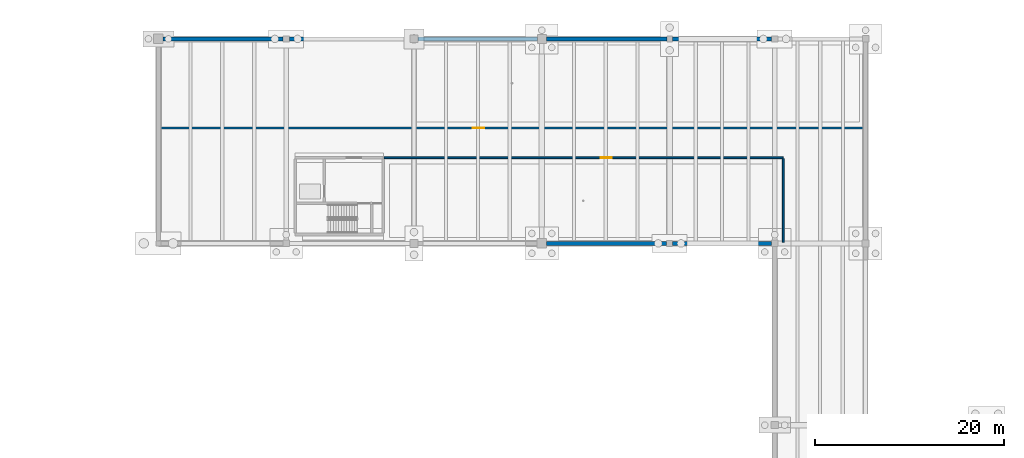
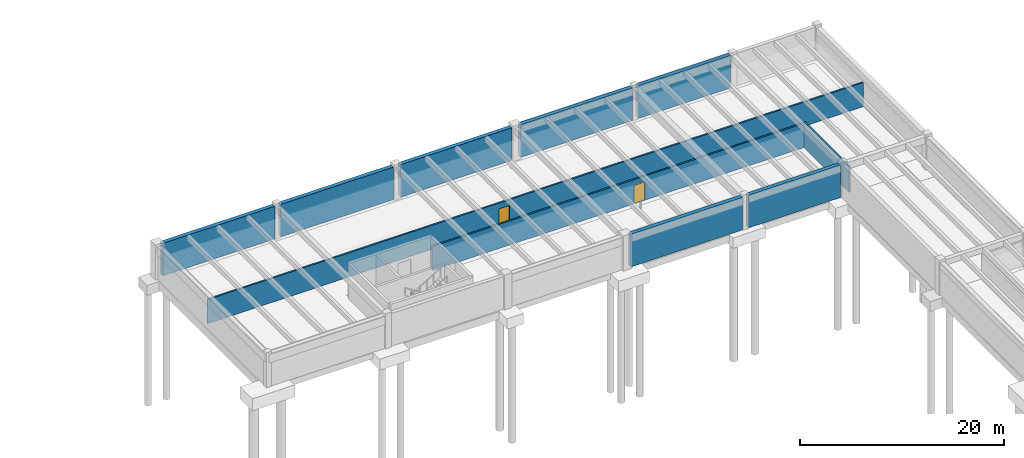
# One storey, part 20 of 41: 10 walls, 2 doors, 2 openings.
"""IFC4 building model written with IfcOpenShell, lengths in metres."""

from ifc_helpers import new_model, si_unit, direction, frame, frame_2d, origin, place, context, subcontext, project, spatial, rectangle, extrude, material, layer, layer_set, type_object, element, fill, save


model = new_model("IFC4")

# Units and contexts
model_context = context("Model", 3, precision=1e-05, world=origin(), true_north=direction((0.0, 1.0)))
body_context = subcontext(model_context, "Body", "Model", "MODEL_VIEW")
ifc_project = project(units=[si_unit("LENGTHUNIT", "METRE"), si_unit("AREAUNIT", "SQUARE_METRE"), si_unit("VOLUMEUNIT", "CUBIC_METRE"), si_unit("PLANEANGLEUNIT", "RADIAN"), si_unit("MASSUNIT", "GRAM", prefix="KILO")], contexts=[model_context])

# Site, building, storey
site_placement = place(None, origin())
site = spatial("IfcSite", under=ifc_project, at=site_placement, CompositionType="ELEMENT")
building_placement = place(site_placement, origin())
building = spatial("IfcBuilding", under=site, at=building_placement, Name="Fikremerkos Civic Library", CompositionType="ELEMENT")
storey_placement = place(building_placement, frame((0.0, 0.0, -8.39990234375)))
storey = spatial("IfcBuildingStorey", under=building, at=storey_placement, Name="B02", CompositionType="ELEMENT", Elevation=-8.39990234375)

# Walls
ifc_material_1 = material(Name="Concrete C40/50", Category="concrete")
ifc_layer_1 = layer(ifc_material_1, 0.449951171875, Name="Concrete C40/50")
ifc_layer_set_1 = layer_set([ifc_layer_1], Name="Concrete C40/50")
wall_type_1 = type_object("IfcWallType", Name="Basement retaining wall BRW-01 450", PredefinedType="USERDEFINED", material=ifc_layer_set_1)
wall_1_placement = place(storey_placement, frame((124.451904296875, 96.0, 0.0), z_axis=(0.0, 0.0, 1.0), x_axis=(-1.0, 0.0, 0.0)))
element("IfcWall", 1, at=wall_1_placement, inside=storey, type_object=wall_type_1, Name="Basement retaining wall BRW-01 B02 #48", ObjectType="RETAINING WALL", PredefinedType="USERDEFINED", context=body_context, shape_type="SweptSolid", body=[
    extrude(rectangle(XDim=10.428955078125, YDim=0.449951171875, at=frame_2d((5.21435546875, 0.0))), origin(), (0.0, 0.0, 1.0), 3.89990234375),
])
for number, where, z_axis, x_axis, name in (
    (2, (113.376953125, 96.0, 0.0), (0.0, 0.0, 1.0), (-1.0, 0.0, 0.0), "Basement retaining wall BRW-01 B02 #49"),
    (3, (60.197998046875, 117.60009765625, 0.0), (0.0, 0.0, 1.0), (1.0, 0.0, 0.0), "Basement retaining wall BRW-01 B02 #54"),
):
    element("IfcWall", number, at=place(storey_placement, frame(where, z_axis=z_axis, x_axis=x_axis)), inside=storey, type_object=wall_type_1, Name=name, ObjectType="RETAINING WALL", PredefinedType="USERDEFINED", context=body_context, shape_type="SweptSolid", body=[
        extrude(rectangle(XDim=12.678955078125, YDim=0.449951171875, at=frame_2d((6.33935546875, 0.0))), origin(), (0.0, 0.0, 1.0), 3.89990234375),
    ])
wall_2_placement = place(storey_placement, frame((73.52294921875, 117.60009765625, 0.0), z_axis=(0.0, 0.0, 1.0), x_axis=(1.0, 0.0, 0.0)))
element("IfcWall", 4, at=wall_2_placement, inside=storey, type_object=wall_type_1, Name="Basement retaining wall BRW-01 B02 #55", ObjectType="RETAINING WALL", PredefinedType="USERDEFINED", context=body_context, shape_type="SweptSolid", body=[
    extrude(rectangle(XDim=12.779052734375, YDim=0.449951171875, at=frame_2d((6.3896484375, 0.0))), origin(), (0.0, 0.0, 1.0), 3.89990234375),
])
wall_3_placement = place(storey_placement, frame((87.097900390625, 117.60009765625, 0.0), z_axis=(0.0, 0.0, 1.0), x_axis=(1.0, 0.0, 0.0)))
element("IfcWall", 5, at=wall_3_placement, inside=storey, type_object=wall_type_1, Name="Basement retaining wall BRW-01 B02 #56", ObjectType="RETAINING WALL", PredefinedType="USERDEFINED", context=body_context, shape_type="SweptSolid", body=[
    extrude(rectangle(XDim=12.629150390625, YDim=0.449951171875, at=frame_2d((6.314453125, 0.0))), origin(), (0.0, 0.0, 1.0), 3.89990234375),
])
wall_4_placement = place(storey_placement, frame((100.673095703125, 117.60009765625, 0.0), z_axis=(0.0, 0.0, 1.0), x_axis=(1.0, 0.0, 0.0)))
element("IfcWall", 6, at=wall_4_placement, inside=storey, type_object=wall_type_1, Name="Basement retaining wall BRW-01 B02 #57", ObjectType="RETAINING WALL", PredefinedType="USERDEFINED", context=body_context, shape_type="SweptSolid", body=[
    extrude(rectangle(XDim=12.72900390625, YDim=0.449951171875, at=frame_2d((6.364501953125, 0.0))), origin(), (0.0, 0.0, 1.0), 3.89990234375),
])
wall_5_placement = place(storey_placement, frame((113.998046875, 117.60009765625, 0.0), z_axis=(0.0, 0.0, 1.0), x_axis=(1.0, 0.0, 0.0)))
element("IfcWall", 7, at=wall_5_placement, inside=storey, type_object=wall_type_1, Name="Basement retaining wall BRW-01 B02 #58", ObjectType="RETAINING WALL", PredefinedType="USERDEFINED", context=body_context, shape_type="SweptSolid", body=[
    extrude(rectangle(XDim=10.47900390625, YDim=0.449951171875, at=frame_2d((5.239501953125, 0.0))), origin(), (0.0, 0.0, 1.0), 3.89990234375),
])

# Wall, opening, door
ifc_material_2 = material(Name="Acoustic concrete blockwork", Category="masonry")
ifc_layer_2 = layer(ifc_material_2, 0.18994140625, Name="Acoustic concrete blockwork")
ifc_layer_set_2 = layer_set([ifc_layer_2], Name="Acoustic concrete blockwork")
wall_type_2 = type_object("IfcWallType", Name="Interior partition wall IPW-01 190", PredefinedType="PARTITIONING", material=ifc_layer_set_2)
wall_6_placement = place(storey_placement, frame((59.927978515625, 108.199951171875, 0.0), z_axis=(0.0, 0.0, 1.0), x_axis=(1.0, 0.0, 0.0)))
wall_6 = element("IfcWall", 8, at=wall_6_placement, inside=storey, type_object=wall_type_2, Name="Interior wall IPW-01 B02 #17", PredefinedType="PARTITIONING", context=body_context, shape_type="SweptSolid", body=[
    extrude(rectangle(XDim=74.244140625, YDim=0.18994140625, at=frame_2d((37.1220703125, 0.0))), origin(), (0.0, 0.0, 1.0), 2.889892578125),
])
opening_1_placement = place(wall_6_placement, frame((32.971923828125, 0.0, 0.0)))
opening_1 = element("IfcOpeningElement", 9, at=opening_1_placement, cuts=wall_6, Name="Opening D143", PredefinedType="OPENING", context=body_context, shape_type="SweptSolid", body=[
    extrude(rectangle(XDim=1.199951171875, YDim=2.199951171875, at=frame_2d((0.60009765625, 1.10009765625))), frame((0.0, 0.10498046875, 0.0), z_axis=(0.0, -1.0, 0.0), x_axis=(1.0, 0.0, 0.0)), (0.0, 0.0, 1.0), 0.2099609375),
])
ifc_material_3 = material(Name="Hardwood timber and acoustic glass", Category="wood")
door_type = type_object("IfcDoorType", Name="Pedestrian door DT-06 1200x2200", OperationType="NOTDEFINED", PredefinedType="DOOR", material=ifc_material_3)
door_1_placement = place(opening_1_placement, origin())
door_1 = element("IfcDoor", 10, at=door_1_placement, inside=storey, type_object=door_type, Name="Interior door D143 B02", OperationType="SINGLE_SWING_RIGHT", OverallHeight=2.199951171875, OverallWidth=1.199951171875, PredefinedType="DOOR", context=body_context, shape_type="SweptSolid", body=[
    extrude(rectangle(XDim=1.199951171875, YDim=2.199951171875, at=frame_2d((0.60009765625, 1.10009765625))), frame((0.0, 0.032470703125, 0.0), z_axis=(0.0, -1.0, 0.0), x_axis=(1.0, 0.0, 0.0)), (0.0, 0.0, 1.0), 0.06494140625),
])
fill(opening_1, door_1)

wall_7_placement = place(storey_placement, frame((83.530029296875, 105.050048828125, 0.0), z_axis=(0.0, 0.0, 1.0), x_axis=(1.0, 0.0, 0.0)))
wall_7 = element("IfcWall", 11, at=wall_7_placement, inside=storey, type_object=wall_type_2, Name="Interior wall IPW-01 B02 #18", PredefinedType="PARTITIONING", context=body_context, shape_type="SweptSolid", body=[
    extrude(rectangle(XDim=42.169921875, YDim=0.18994140625, at=frame_2d((21.0849609375, 0.0))), origin(), (0.0, 0.0, 1.0), 2.889892578125),
])
opening_2_placement = place(wall_7_placement, frame((22.8701171875, 0.0, 0.0)))
opening_2 = element("IfcOpeningElement", 12, at=opening_2_placement, cuts=wall_7, Name="Opening D144", PredefinedType="OPENING", context=body_context, shape_type="SweptSolid", body=[
    extrude(rectangle(XDim=1.199951171875, YDim=2.199951171875, at=frame_2d((0.60009765625, 1.10009765625))), frame((0.0, 0.10498046875, 0.0), z_axis=(0.0, -1.0, 0.0), x_axis=(1.0, 0.0, 0.0)), (0.0, 0.0, 1.0), 0.2099609375),
])
door_2_placement = place(opening_2_placement, origin())
door_2 = element("IfcDoor", 13, at=door_2_placement, inside=storey, type_object=door_type, Name="Interior door D144 B02", OperationType="SINGLE_SWING_LEFT", OverallHeight=2.199951171875, OverallWidth=1.199951171875, PredefinedType="DOOR", context=body_context, shape_type="SweptSolid", body=[
    extrude(rectangle(XDim=1.199951171875, YDim=2.199951171875, at=frame_2d((0.60009765625, 1.10009765625))), frame((0.0, 0.032470703125, 0.0), z_axis=(0.0, -1.0, 0.0), x_axis=(1.0, 0.0, 0.0)), (0.0, 0.0, 1.0), 0.06494140625),
])
fill(opening_2, door_2)

# Wall
wall_8_placement = place(storey_placement, frame((125.699951171875, 96.10498046875, 0.0), z_axis=(0.0, 0.0, 1.0), x_axis=(0.0, 1.0, 0.0)))
element("IfcWall", 14, at=wall_8_placement, inside=storey, type_object=wall_type_2, Name="Interior wall IPW-01 B02 #35", PredefinedType="PARTITIONING", context=body_context, shape_type="SweptSolid", body=[
    extrude(rectangle(XDim=8.840087890625, YDim=0.18994140625, at=frame_2d((4.419921875, 0.0))), origin(), (0.0, 0.0, 1.0), 3.08984375),
])

save(model, "model.ifc")
